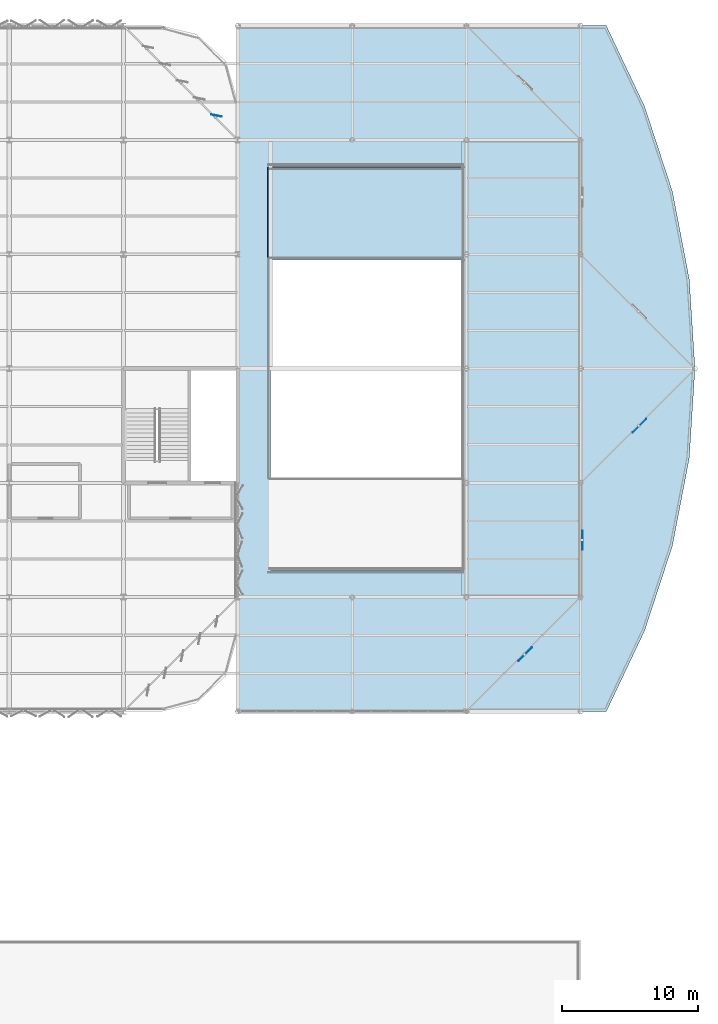
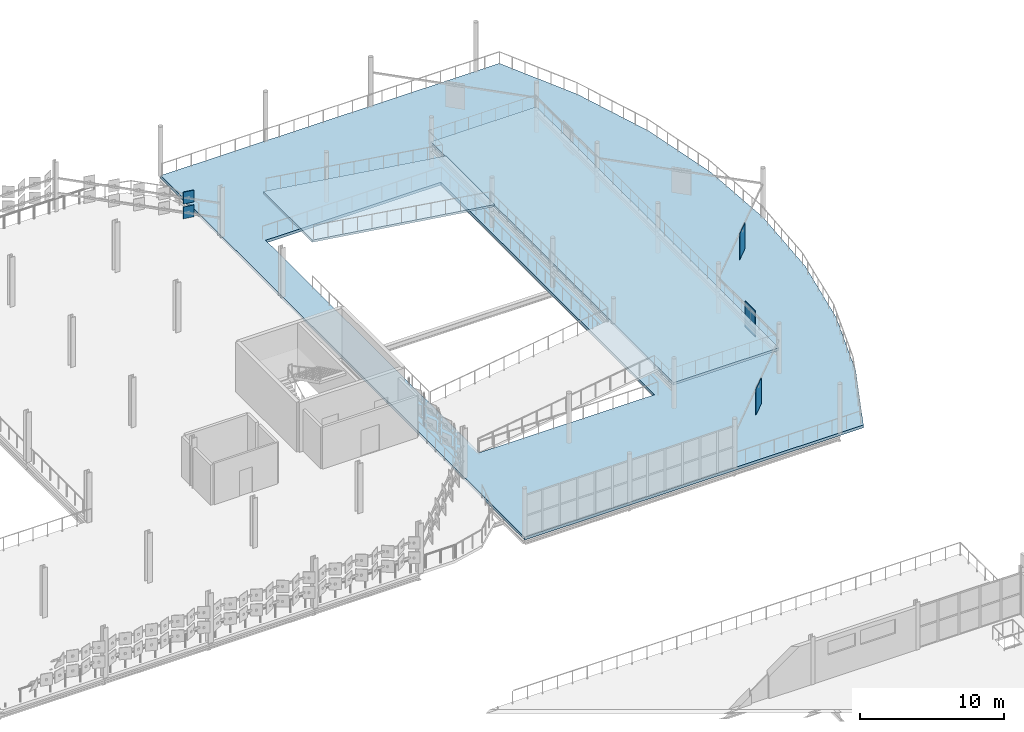
# One storey, part 150 of 184: 5 plates, 3 slabs.
"""IFC4 building model written with IfcOpenShell, lengths in metres."""

from ifc_helpers import new_model, si_unit, direction, frame, origin, origin_2d, place, context, subcontext, project, spatial, polyline, rectangle, outline, extrude, material, layer, layer_set, type_object, element, save


model = new_model("IFC4")

# Units and contexts
model_context = context("Model", 3, precision=1e-05, world=origin(), true_north=direction((0.0, 1.0)))
body_context = subcontext(model_context, "Body", "Model", "MODEL_VIEW")
ifc_project = project(units=[si_unit("LENGTHUNIT", "METRE"), si_unit("AREAUNIT", "SQUARE_METRE"), si_unit("VOLUMEUNIT", "CUBIC_METRE"), si_unit("PLANEANGLEUNIT", "RADIAN"), si_unit("MASSUNIT", "GRAM", prefix="KILO")], contexts=[model_context])

# Site, building, storey
site_placement = place(None, origin())
site = spatial("IfcSite", under=ifc_project, at=site_placement, CompositionType="ELEMENT")
building_placement = place(site_placement, origin())
building = spatial("IfcBuilding", under=site, at=building_placement, Name="Qalvenar Corner Mobility Hub", CompositionType="ELEMENT")
storey_placement = place(building_placement, frame((0.0, 0.0, 9.0)))
storey = spatial("IfcBuildingStorey", under=building, at=storey_placement, Name="L02", CompositionType="ELEMENT", Elevation=9.0)

# Plates
ifc_material_1 = material(Name="Perforated Bronze-Anodised Aluminium", Category="aluminium")
ifc_layer_1 = layer(ifc_material_1, 0.030029296875)
ifc_layer_set_1 = layer_set([ifc_layer_1], Name="Perforated Bronze-Anodised Aluminium")
plate_type_1 = type_object("IfcPlateType", Name="PLT-SCR-ROT", PredefinedType="SHEET", material=ifc_layer_set_1)
for number, where, z_axis, x_axis, name in (
    (1, (163.919921875, 71.39990234375, 0.85009765625), (0.0, 0.0, 1.0), (0.707106781187, 0.707106781187, 0.0), "Rotunda Sun Screen SC1-L02-1"),
    (2, (168.1201171875, 79.800048828125, 0.85009765625), (0.0, 0.0, 1.0), (0.0, 1.0, 0.0), "Rotunda Sun Screen SC1-L02-2"),
    (3, (172.320068359375, 88.199951171875, 0.85009765625), (0.0, 0.0, 1.0), (0.707106781187, 0.707106781187, 0.0), "Rotunda Sun Screen SC1-L02-3"),
):
    element("IfcPlate", number, at=place(storey_placement, frame(where, z_axis=z_axis, x_axis=x_axis)), inside=storey, type_object=plate_type_1, Name=name, PredefinedType="SHEET", context=body_context, shape_type="SweptSolid", body=[
        extrude(rectangle(XDim=1.39990234375, YDim=0.030029296875, at=origin_2d()), origin(), (0.0, 0.0, 1.0), 2.199951171875),
    ])
ifc_material_2 = material(Name="Amber-Bronze Anodised Aluminium", Category="aluminium")
ifc_layer_2 = layer(ifc_material_2, 0.0400390625)
ifc_layer_set_2 = layer_set([ifc_layer_2], Name="Amber-Bronze Anodised Aluminium")
plate_type_2 = type_object("IfcPlateType", Name="PLT-XC-L2-CRN", PredefinedType="SHEET", material=ifc_layer_set_2)
for number, where, z_axis, x_axis, name in (
    (4, (141.233154296875, 110.9931640625, 1.0), (0.0, 0.0, 1.0), (-0.981627183448, 0.190808995377, 0.0), "Corner Hinged Panel FPC-L02-0701"),
    (5, (141.233154296875, 110.9931640625, 2.25), (0.0, 0.0, 1.0), (-0.981627183448, 0.190808995377, 0.0), "Corner Hinged Panel FPC-L02-0706"),
):
    element("IfcPlate", number, at=place(storey_placement, frame(where, z_axis=z_axis, x_axis=x_axis)), inside=storey, type_object=plate_type_2, Name=name, PredefinedType="SHEET", context=body_context, shape_type="SweptSolid", body=[
        extrude(rectangle(XDim=0.800048828125, YDim=0.0400390625, at=origin_2d()), origin(), (0.0, 0.0, 1.0), 1.0),
    ])

# Slabs
ifc_material_3 = material(Name="Concrete C35/45", Category="concrete")
ifc_layer_3 = layer(ifc_material_3, 0.239990234375)
ifc_layer_set_3 = layer_set([ifc_layer_3], Name="Concrete C35/45")
slab_type_1 = type_object("IfcSlabType", Name="SLB-COMP200", PredefinedType="FLOOR", material=ifc_layer_set_3)
slab_1_placement = place(storey_placement, frame((0.0, 0.0, -0.239990234375)))
element("IfcSlab", 6, at=slab_1_placement, inside=storey, type_object=slab_type_1, Name="Rotunda Floor Slab V2-L02", PredefinedType="FLOOR", context=body_context, shape_type="SweptSolid", body=[
    extrude(outline(polyline([(142.800048828125, 67.199951171875), (169.8857421875, 67.199951171875), (172.701416015625, 73.13916015625), (174.7451171875, 79.3857421875), (175.984619140625, 85.840576171875), (176.39990234375, 92.39990234375), (175.984619140625, 98.95947265625), (174.7451171875, 105.414306640625), (172.701416015625, 111.660888671875), (169.8857421875, 117.60009765625), (142.800048828125, 117.60009765625), (142.800048828125, 67.199951171875)]), holes=[polyline([(145.199951171875, 77.60009765625), (159.199951171875, 77.60009765625), (159.199951171875, 107.199951171875), (145.199951171875, 107.199951171875), (145.199951171875, 77.60009765625)])]), origin(), (0.0, 0.0, 1.0), 0.239990234375),
])
ifc_layer_4 = layer(ifc_material_3, 0.219970703125)
ifc_layer_set_4 = layer_set([ifc_layer_4], Name="Concrete C35/45")
slab_type_2 = type_object("IfcSlabType", Name="SLB-RLND220", PredefinedType="FLOOR", material=ifc_layer_set_4)
slab_2_placement = place(storey_placement, frame((0.0, 0.0, 1.8798828125)))
element("IfcSlab", 7, at=slab_2_placement, inside=storey, type_object=slab_type_2, Name="Vehicle Circulation Ramp Mid-Landing L02-L03", PredefinedType="FLOOR", context=body_context, shape_type="SweptSolid", body=[
    extrude(outline(polyline([(159.5400390625, 75.60009765625), (168.0, 75.60009765625), (168.0, 109.199951171875), (159.5400390625, 109.199951171875), (159.5400390625, 75.60009765625)])), origin(), (0.0, 0.0, 1.0), 0.22021484375),
])
ifc_material_4 = material(Name="Concrete C35/45", Category="concrete")
ifc_layer_5 = layer(ifc_material_4, 0.179931640625)
ifc_layer_set_5 = layer_set([ifc_layer_5], Name="Concrete C35/45")
slab_type_3 = type_object("IfcSlabType", Name="SLB-VRMP180", PredefinedType="FLOOR", material=ifc_layer_set_5)
slab_3_placement = place(storey_placement, frame((159.60009765625, 100.39990234375, 2.10009765625), z_axis=(0.142359764805, 0.0, 0.98981498138), x_axis=(-0.98981498138, 0.0, 0.142359764805)))
element("IfcSlab", 8, at=slab_3_placement, inside=storey, type_object=slab_type_3, Name="Vehicle Circulation Ramp Structural Slab L02-L03 Upper", PredefinedType="FLOOR", context=body_context, shape_type="SweptSolid", body=[
    extrude(outline(polyline([(0.0, 0.0), (14.750330042379371, 0.0), (14.750330042379371, -6.800048828125), (0.0, -6.800048828125), (0.0, 0.0)])), origin(), (0.0, 0.0, -1.0), 0.179931640625),
])

save(model, "model.ifc")
